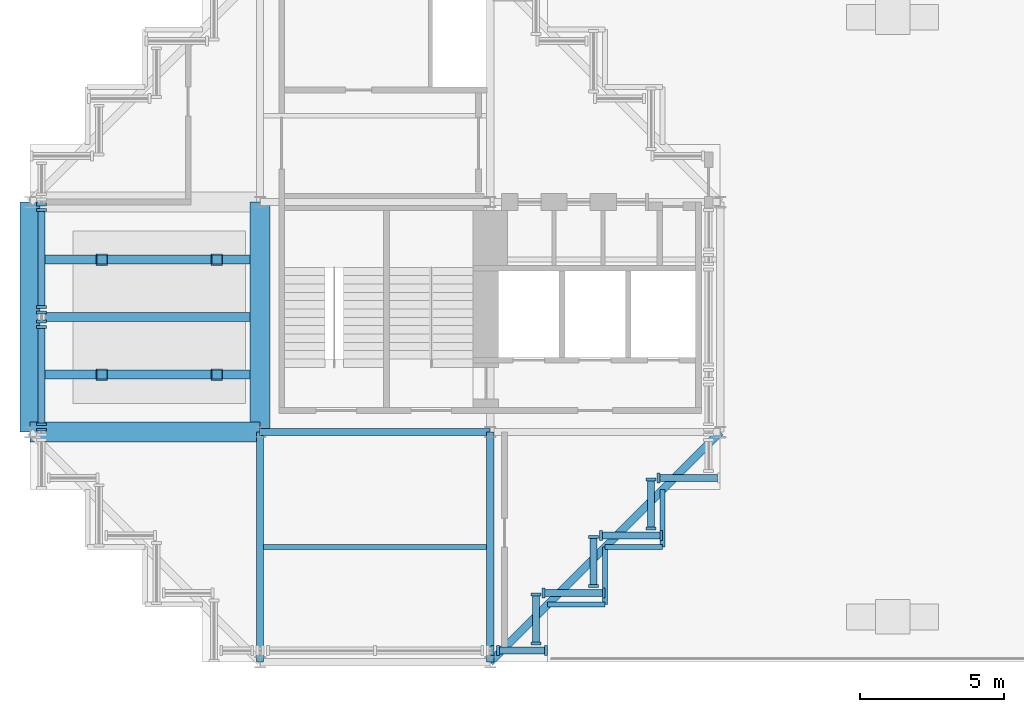
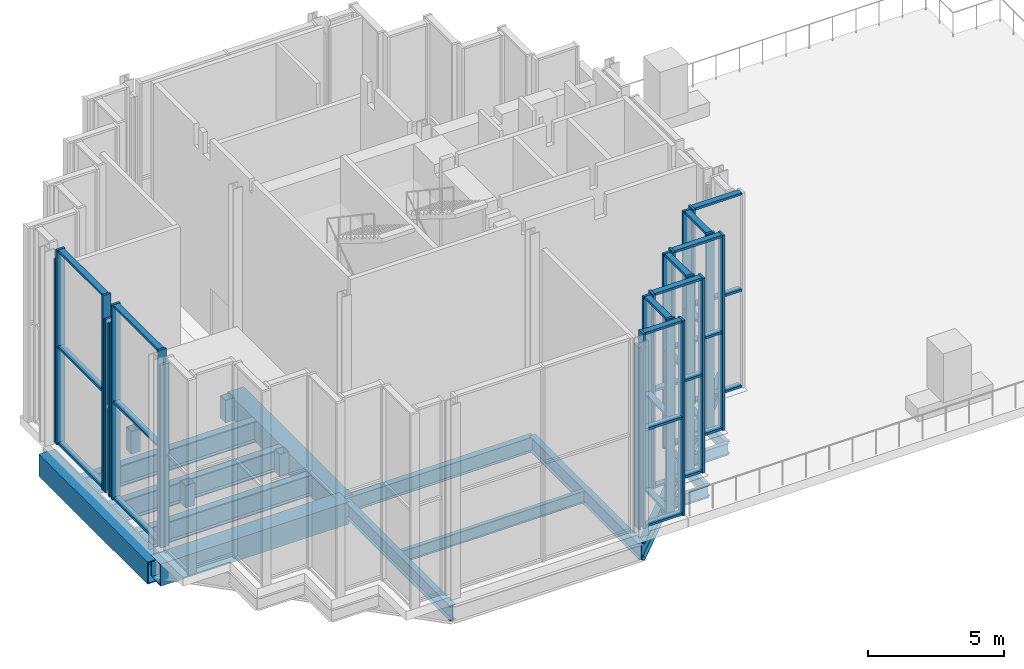
# One storey, part 2 of 15: 53 members, 15 beams, 13 elements without a shape of their own.
"""IFC4 building model written with IfcOpenShell, lengths in metres."""

from ifc_helpers import new_model, si_unit, direction, frame, origin, origin_2d, place, context, subcontext, project, spatial, rectangle, hollow_rectangle, i_section, extrude, material, material_profile, profile_set, type_object, element, aggregate, save


model = new_model("IFC4")

# Units and contexts
model_context = context("Model", 3, precision=1e-05, world=origin(), true_north=direction((0.0, 1.0)))
body_context = subcontext(model_context, "Body", "Model", "MODEL_VIEW")
ifc_project = project(units=[si_unit("LENGTHUNIT", "METRE"), si_unit("AREAUNIT", "SQUARE_METRE"), si_unit("VOLUMEUNIT", "CUBIC_METRE"), si_unit("PLANEANGLEUNIT", "RADIAN"), si_unit("MASSUNIT", "GRAM", prefix="KILO")], contexts=[model_context])

# Site, building, storey
site_placement = place(None, origin())
site = spatial("IfcSite", under=ifc_project, at=site_placement, CompositionType="ELEMENT")
building_placement = place(site_placement, origin())
building = spatial("IfcBuilding", under=site, at=building_placement, Name="Immortelle Media Tower", CompositionType="ELEMENT")
storey_placement = place(building_placement, frame((0.0, 0.0, 299.0)))
storey = spatial("IfcBuildingStorey", under=building, at=storey_placement, Name="L66", CompositionType="ELEMENT", Elevation=299.0)

# Beams
ifc_material_1 = material(Name="Steel ASTM A572 Gr 50", Category="steel")
ifc_material_profile_1 = material_profile(ifc_material_1, hollow_rectangle(XDim=0.699951171875, YDim=1.0, WallThickness=0.044921875, at=origin_2d()), Name="BOX 1000x700x45 box girder")
ifc_profile_set_1 = profile_set([ifc_material_profile_1], Name="Steel ASTM A572 Gr 50")
beam_type_1 = type_object("IfcBeamType", Name="BOX 1000x700x45 box girder", PredefinedType="BEAM", material=ifc_profile_set_1)
for number, where, z_axis, x_axis, name in (
    (1, (0.0, 8.0, -0.89990234375), (1.0, 0.0, 0.0), (0.0, 1.0, 0.0), "Girder B/1-2"),
    (2, (0.0, 8.0, -0.89990234375), (0.0, 1.0, 0.0), (-1.0, 0.0, 0.0), "Girder 1/B-C"),
    (3, (8.0, 8.0, -0.89990234375), (0.0, 1.0, 0.0), (-1.0, 0.0, 0.0), "Girder 2/B-C"),
):
    element("IfcBeam", number, at=place(storey_placement, frame(where, z_axis=z_axis, x_axis=x_axis)), inside=storey, type_object=beam_type_1, Name=name, PredefinedType="BEAM", context=body_context, shape_type="SweptSolid", body=[
        extrude(hollow_rectangle(XDim=0.699951171875, YDim=1.0, WallThickness=0.044921875, at=origin_2d()), origin(), (0.0, 0.0, 1.0), 8.0),
    ])

# Members
ifc_material_profile_2 = material_profile(ifc_material_1, hollow_rectangle(XDim=0.39990234375, YDim=0.39990234375, WallThickness=0.030029296875, at=origin_2d()), Name="BOX 400x400x30")
ifc_profile_set_2 = profile_set([ifc_material_profile_2], Name="Steel ASTM A572 Gr 50")
member_type_1 = type_object("IfcMemberType", Name="Damper bearing pedestal BOX 400x400x30", PredefinedType="POST", material=ifc_profile_set_2)
for number, where, z_axis, x_axis, name in (
    (4, (2.5, 10.0, 0.0), (0.0, 0.0, 1.0), (1.0, 0.0, 0.0), "Damper bearing pedestal 1"),
    (5, (6.5, 10.0, 0.0), (0.0, 0.0, 1.0), (1.0, 0.0, 0.0), "Damper bearing pedestal 2"),
    (6, (6.5, 14.0, 0.0), (0.0, 0.0, 1.0), (1.0, 0.0, 0.0), "Damper bearing pedestal 3"),
    (7, (2.5, 14.0, 0.0), (0.0, 0.0, 1.0), (1.0, 0.0, 0.0), "Damper bearing pedestal 4"),
):
    element("IfcMember", number, at=place(storey_placement, frame(where, z_axis=z_axis, x_axis=x_axis)), inside=storey, type_object=member_type_1, Name=name, PredefinedType="POST", context=body_context, shape_type="SweptSolid", body=[
        extrude(hollow_rectangle(XDim=0.39990234375, YDim=0.39990234375, WallThickness=0.030029296875, at=origin_2d()), origin(), (0.0, 0.0, 1.0), 1.0),
    ])

# Curtain wall, members
ifc_material_2 = material(Name="Aluminium curtain wall system", Category="aluminium")
curtain_wall_type = type_object("IfcCurtainWallType", Name="Damper hall glazing curtain wall", PredefinedType="NOTDEFINED", material=ifc_material_2)
curtain_wall_1_placement = place(storey_placement, origin())
curtain_wall_1 = element("IfcCurtainWall", 8, at=curtain_wall_1_placement, inside=storey, type_object=curtain_wall_type, Name="Damper hall glazing L66 E 1", PredefinedType="NOTDEFINED")
ifc_material_3 = material(Name="Aluminium 6063-T6", Category="aluminium")
ifc_material_profile_3 = material_profile(ifc_material_3, rectangle(XDim=0.35009765625, YDim=0.10009765625, at=origin_2d()), Name="AL 100x350")
ifc_profile_set_3 = profile_set([ifc_material_profile_3], Name="Aluminium 6063-T6")
member_type_2 = type_object("IfcMemberType", Name="Damper hall glazing mullion 100 x 350", PredefinedType="MULLION", material=ifc_profile_set_3)
member_1_placement = place(storey_placement, frame((17.60009765625, 0.64990234375, 0.0), z_axis=(0.0, 0.0, 1.0), x_axis=(-1.0, 0.0, 0.0)))
member_1 = element("IfcMember", 9, at=member_1_placement, type_object=member_type_2, Name="CW5 mullion 1", PredefinedType="MULLION", context=body_context, shape_type="SweptSolid", body=[
    extrude(rectangle(XDim=0.35009765625, YDim=0.10009765625, at=origin_2d()), origin(), (0.0, 0.0, 1.0), 8.74951171875),
])
member_2_placement = place(storey_placement, frame((17.60009765625, 2.35009765625, 0.0), z_axis=(0.0, 0.0, 1.0), x_axis=(-1.0, 0.0, 0.0)))
member_2 = element("IfcMember", 10, at=member_2_placement, type_object=member_type_2, Name="CW5 mullion 2", PredefinedType="MULLION", context=body_context, shape_type="SweptSolid", body=[
    extrude(rectangle(XDim=0.35009765625, YDim=0.10009765625, at=origin_2d()), origin(), (0.0, 0.0, 1.0), 8.74951171875),
])

curtain_wall_2_placement = place(storey_placement, origin())
curtain_wall_2 = element("IfcCurtainWall", 11, at=curtain_wall_2_placement, inside=storey, type_object=curtain_wall_type, Name="Damper hall glazing L66 S 2", PredefinedType="NOTDEFINED")
member_3_placement = place(storey_placement, frame((17.85009765625, 2.39990234375, 0.0), z_axis=(0.0, 0.0, 1.0), x_axis=(0.0, 1.0, 0.0)))
member_3 = element("IfcMember", 12, at=member_3_placement, type_object=member_type_2, Name="CW5 mullion 1", PredefinedType="MULLION", context=body_context, shape_type="SweptSolid", body=[
    extrude(rectangle(XDim=0.35009765625, YDim=0.10009765625, at=origin_2d()), origin(), (0.0, 0.0, 1.0), 8.74951171875),
])
member_4_placement = place(storey_placement, frame((19.949951171875, 2.39990234375, 0.0), z_axis=(0.0, 0.0, 1.0), x_axis=(0.0, 1.0, 0.0)))
member_4 = element("IfcMember", 13, at=member_4_placement, type_object=member_type_2, Name="CW5 mullion 2", PredefinedType="MULLION", context=body_context, shape_type="SweptSolid", body=[
    extrude(rectangle(XDim=0.35009765625, YDim=0.10009765625, at=origin_2d()), origin(), (0.0, 0.0, 1.0), 8.74951171875),
])

curtain_wall_3_placement = place(storey_placement, origin())
curtain_wall_3 = element("IfcCurtainWall", 14, at=curtain_wall_3_placement, inside=storey, type_object=curtain_wall_type, Name="Damper hall glazing L66 E 3", PredefinedType="NOTDEFINED")
member_5_placement = place(storey_placement, frame((19.60009765625, 2.64990234375, 0.0), z_axis=(0.0, 0.0, 1.0), x_axis=(-1.0, 0.0, 0.0)))
member_5 = element("IfcMember", 15, at=member_5_placement, type_object=member_type_2, Name="CW5 mullion 1", PredefinedType="MULLION", context=body_context, shape_type="SweptSolid", body=[
    extrude(rectangle(XDim=0.35009765625, YDim=0.10009765625, at=origin_2d()), origin(), (0.0, 0.0, 1.0), 8.74951171875),
])
member_6_placement = place(storey_placement, frame((19.60009765625, 4.35009765625, 0.0), z_axis=(0.0, 0.0, 1.0), x_axis=(-1.0, 0.0, 0.0)))
member_6 = element("IfcMember", 16, at=member_6_placement, type_object=member_type_2, Name="CW5 mullion 2", PredefinedType="MULLION", context=body_context, shape_type="SweptSolid", body=[
    extrude(rectangle(XDim=0.35009765625, YDim=0.10009765625, at=origin_2d()), origin(), (0.0, 0.0, 1.0), 8.74951171875),
])

curtain_wall_4_placement = place(storey_placement, origin())
curtain_wall_4 = element("IfcCurtainWall", 17, at=curtain_wall_4_placement, inside=storey, type_object=curtain_wall_type, Name="Damper hall glazing L66 S 4", PredefinedType="NOTDEFINED")
member_7_placement = place(storey_placement, frame((19.85009765625, 4.39990234375, 0.0), z_axis=(0.0, 0.0, 1.0), x_axis=(0.0, 1.0, 0.0)))
member_7 = element("IfcMember", 18, at=member_7_placement, type_object=member_type_2, Name="CW5 mullion 1", PredefinedType="MULLION", context=body_context, shape_type="SweptSolid", body=[
    extrude(rectangle(XDim=0.35009765625, YDim=0.10009765625, at=origin_2d()), origin(), (0.0, 0.0, 1.0), 8.74951171875),
])
member_8_placement = place(storey_placement, frame((21.949951171875, 4.39990234375, 0.0), z_axis=(0.0, 0.0, 1.0), x_axis=(0.0, 1.0, 0.0)))
member_8 = element("IfcMember", 19, at=member_8_placement, type_object=member_type_2, Name="CW5 mullion 2", PredefinedType="MULLION", context=body_context, shape_type="SweptSolid", body=[
    extrude(rectangle(XDim=0.35009765625, YDim=0.10009765625, at=origin_2d()), origin(), (0.0, 0.0, 1.0), 8.74951171875),
])

curtain_wall_5_placement = place(storey_placement, origin())
curtain_wall_5 = element("IfcCurtainWall", 20, at=curtain_wall_5_placement, inside=storey, type_object=curtain_wall_type, Name="Damper hall glazing L66 E 5", PredefinedType="NOTDEFINED")
member_9_placement = place(storey_placement, frame((21.60009765625, 4.64990234375, 0.0), z_axis=(0.0, 0.0, 1.0), x_axis=(-1.0, 0.0, 0.0)))
member_9 = element("IfcMember", 21, at=member_9_placement, type_object=member_type_2, Name="CW5 mullion 1", PredefinedType="MULLION", context=body_context, shape_type="SweptSolid", body=[
    extrude(rectangle(XDim=0.35009765625, YDim=0.10009765625, at=origin_2d()), origin(), (0.0, 0.0, 1.0), 8.74951171875),
])
member_10_placement = place(storey_placement, frame((21.60009765625, 6.35009765625, 0.0), z_axis=(0.0, 0.0, 1.0), x_axis=(-1.0, 0.0, 0.0)))
member_10 = element("IfcMember", 22, at=member_10_placement, type_object=member_type_2, Name="CW5 mullion 2", PredefinedType="MULLION", context=body_context, shape_type="SweptSolid", body=[
    extrude(rectangle(XDim=0.35009765625, YDim=0.10009765625, at=origin_2d()), origin(), (0.0, 0.0, 1.0), 8.74951171875),
])

# Curtain wall, member
curtain_wall_6_placement = place(storey_placement, origin())
curtain_wall_6 = element("IfcCurtainWall", 23, at=curtain_wall_6_placement, inside=storey, type_object=curtain_wall_type, Name="Damper hall glazing L66 S 6", PredefinedType="NOTDEFINED")
member_11_placement = place(storey_placement, frame((21.85009765625, 6.39990234375, 0.0), z_axis=(0.0, 0.0, 1.0), x_axis=(0.0, 1.0, 0.0)))
member_11 = element("IfcMember", 24, at=member_11_placement, type_object=member_type_2, Name="CW5 mullion 1", PredefinedType="MULLION", context=body_context, shape_type="SweptSolid", body=[
    extrude(rectangle(XDim=0.35009765625, YDim=0.10009765625, at=origin_2d()), origin(), (0.0, 0.0, 1.0), 8.74951171875),
])

curtain_wall_7_placement = place(storey_placement, origin())
curtain_wall_7 = element("IfcCurtainWall", 25, at=curtain_wall_7_placement, inside=storey, type_object=curtain_wall_type, Name="Damper hall glazing L66 W 21-2", PredefinedType="NOTDEFINED")
member_12_placement = place(storey_placement, frame((0.39990234375, 15.91650390625, 0.0), z_axis=(0.0, 0.0, 1.0), x_axis=(1.0, 0.0, 0.0)))
member_12 = element("IfcMember", 26, at=member_12_placement, type_object=member_type_2, Name="CW5 mullion 2", PredefinedType="MULLION", context=body_context, shape_type="SweptSolid", body=[
    extrude(rectangle(XDim=0.35009765625, YDim=0.10009765625, at=origin_2d()), origin(), (0.0, 0.0, 1.0), 8.21337890625),
])
aggregate(curtain_wall_7, [member_12])

# Curtain wall, members
curtain_wall_8_placement = place(storey_placement, origin())
curtain_wall_8 = element("IfcCurtainWall", 27, at=curtain_wall_8_placement, inside=storey, type_object=curtain_wall_type, Name="Damper hall glazing L66 W 21-3", PredefinedType="NOTDEFINED")
member_13_placement = place(storey_placement, frame((0.39990234375, 15.7265625, 0.0), z_axis=(0.0, 0.0, 1.0), x_axis=(1.0, 0.0, 0.0)))
member_13 = element("IfcMember", 28, at=member_13_placement, type_object=member_type_2, Name="CW5 mullion 1", PredefinedType="MULLION", context=body_context, shape_type="SweptSolid", body=[
    extrude(rectangle(XDim=0.35009765625, YDim=0.10009765625, at=origin_2d()), origin(), (0.0, 0.0, 1.0), 8.74951171875),
])
member_14_placement = place(storey_placement, frame((0.39990234375, 12.344970703125, 0.0), z_axis=(0.0, 0.0, 1.0), x_axis=(1.0, 0.0, 0.0)))
member_14 = element("IfcMember", 29, at=member_14_placement, type_object=member_type_2, Name="CW5 mullion 2", PredefinedType="MULLION", context=body_context, shape_type="SweptSolid", body=[
    extrude(rectangle(XDim=0.35009765625, YDim=0.10009765625, at=origin_2d()), origin(), (0.0, 0.0, 1.0), 8.74951171875),
])

curtain_wall_9_placement = place(storey_placement, origin())
curtain_wall_9 = element("IfcCurtainWall", 30, at=curtain_wall_9_placement, inside=storey, type_object=curtain_wall_type, Name="Damper hall glazing L66 W 21-4", PredefinedType="NOTDEFINED")
member_15_placement = place(storey_placement, frame((0.39990234375, 12.155029296875, 0.0), z_axis=(0.0, 0.0, 1.0), x_axis=(1.0, 0.0, 0.0)))
member_15 = element("IfcMember", 31, at=member_15_placement, type_object=member_type_2, Name="CW5 mullion 1", PredefinedType="MULLION", context=body_context, shape_type="SweptSolid", body=[
    extrude(rectangle(XDim=0.35009765625, YDim=0.10009765625, at=origin_2d()), origin(), (0.0, 0.0, 1.0), 7.799560546875),
])
member_16_placement = place(storey_placement, frame((0.39990234375, 11.844970703125, 0.0), z_axis=(0.0, 0.0, 1.0), x_axis=(1.0, 0.0, 0.0)))
member_16 = element("IfcMember", 32, at=member_16_placement, type_object=member_type_2, Name="CW5 mullion 2", PredefinedType="MULLION", context=body_context, shape_type="SweptSolid", body=[
    extrude(rectangle(XDim=0.35009765625, YDim=0.10009765625, at=origin_2d()), origin(), (0.0, 0.0, 1.0), 7.799560546875),
])
aggregate(curtain_wall_9, [member_15, member_16])

curtain_wall_10_placement = place(storey_placement, origin())
curtain_wall_10 = element("IfcCurtainWall", 33, at=curtain_wall_10_placement, inside=storey, type_object=curtain_wall_type, Name="Damper hall glazing L66 W 21-5", PredefinedType="NOTDEFINED")
member_17_placement = place(storey_placement, frame((0.39990234375, 11.655029296875, 0.0), z_axis=(0.0, 0.0, 1.0), x_axis=(1.0, 0.0, 0.0)))
member_17 = element("IfcMember", 34, at=member_17_placement, type_object=member_type_2, Name="CW5 mullion 1", PredefinedType="MULLION", context=body_context, shape_type="SweptSolid", body=[
    extrude(rectangle(XDim=0.35009765625, YDim=0.10009765625, at=origin_2d()), origin(), (0.0, 0.0, 1.0), 8.74951171875),
])
member_18_placement = place(storey_placement, frame((0.39990234375, 8.2734375, 0.0), z_axis=(0.0, 0.0, 1.0), x_axis=(1.0, 0.0, 0.0)))
member_18 = element("IfcMember", 35, at=member_18_placement, type_object=member_type_2, Name="CW5 mullion 2", PredefinedType="MULLION", context=body_context, shape_type="SweptSolid", body=[
    extrude(rectangle(XDim=0.35009765625, YDim=0.10009765625, at=origin_2d()), origin(), (0.0, 0.0, 1.0), 8.74951171875),
])

# Curtain wall, member
curtain_wall_11_placement = place(storey_placement, origin())
curtain_wall_11 = element("IfcCurtainWall", 36, at=curtain_wall_11_placement, inside=storey, type_object=curtain_wall_type, Name="Damper hall glazing L66 W 21-6", PredefinedType="NOTDEFINED")
member_19_placement = place(storey_placement, frame((0.39990234375, 8.08349609375, 0.0), z_axis=(0.0, 0.0, 1.0), x_axis=(1.0, 0.0, 0.0)))
member_19 = element("IfcMember", 37, at=member_19_placement, type_object=member_type_2, Name="CW5 mullion 1", PredefinedType="MULLION", context=body_context, shape_type="SweptSolid", body=[
    extrude(rectangle(XDim=0.35009765625, YDim=0.10009765625, at=origin_2d()), origin(), (0.0, 0.0, 1.0), 8.21337890625),
])
aggregate(curtain_wall_11, [member_19])

curtain_wall_12_placement = place(storey_placement, origin())
curtain_wall_12 = element("IfcCurtainWall", 38, at=curtain_wall_12_placement, inside=storey, type_object=curtain_wall_type, Name="Damper hall glazing L66 S 28-4", PredefinedType="NOTDEFINED")
member_20_placement = place(storey_placement, frame((16.08349609375, 0.39990234375, 0.0), z_axis=(0.0, 0.0, 1.0), x_axis=(0.0, 1.0, 0.0)))
member_20 = element("IfcMember", 39, at=member_20_placement, type_object=member_type_2, Name="CW5 mullion 2", PredefinedType="MULLION", context=body_context, shape_type="SweptSolid", body=[
    extrude(rectangle(XDim=0.35009765625, YDim=0.10009765625, at=origin_2d()), origin(), (0.0, 0.0, 1.0), 8.21337890625),
])
aggregate(curtain_wall_12, [member_20])

# Curtain wall, members
curtain_wall_13_placement = place(storey_placement, origin())
curtain_wall_13 = element("IfcCurtainWall", 40, at=curtain_wall_13_placement, inside=storey, type_object=curtain_wall_type, Name="Damper hall glazing L66 S 28-5", PredefinedType="NOTDEFINED")
member_21_placement = place(storey_placement, frame((16.2734375, 0.39990234375, 0.0), z_axis=(0.0, 0.0, 1.0), x_axis=(0.0, 1.0, 0.0)))
member_21 = element("IfcMember", 41, at=member_21_placement, type_object=member_type_2, Name="CW5 mullion 1", PredefinedType="MULLION", context=body_context, shape_type="SweptSolid", body=[
    extrude(rectangle(XDim=0.35009765625, YDim=0.10009765625, at=origin_2d()), origin(), (0.0, 0.0, 1.0), 8.74951171875),
])
member_22_placement = place(storey_placement, frame((17.949951171875, 0.39990234375, 0.0), z_axis=(0.0, 0.0, 1.0), x_axis=(0.0, 1.0, 0.0)))
member_22 = element("IfcMember", 42, at=member_22_placement, type_object=member_type_2, Name="CW5 mullion 2", PredefinedType="MULLION", context=body_context, shape_type="SweptSolid", body=[
    extrude(rectangle(XDim=0.35009765625, YDim=0.10009765625, at=origin_2d()), origin(), (0.0, 0.0, 1.0), 8.74951171875),
])

# Member
ifc_material_profile_4 = material_profile(ifc_material_3, rectangle(XDim=0.25, YDim=0.10009765625, at=origin_2d()), Name="AL 100x250")
ifc_profile_set_4 = profile_set([ifc_material_profile_4], Name="Aluminium 6063-T6")
member_type_3 = type_object("IfcMemberType", Name="Damper hall glazing transom 100 x 250", PredefinedType="USERDEFINED", material=ifc_profile_set_4)
member_23_placement = place(storey_placement, frame((17.60009765625, 0.699951171875, 0.050048828125), z_axis=(0.0, 1.0, 0.0), x_axis=(-1.0, 0.0, 0.0)))
member_23 = element("IfcMember", 43, at=member_23_placement, type_object=member_type_3, Name="CW5 transom 1.1", ObjectType="TRANSOM", PredefinedType="USERDEFINED", context=body_context, shape_type="SweptSolid", body=[
    extrude(rectangle(XDim=0.25, YDim=0.10009765625, at=origin_2d()), origin(), (0.0, 0.0, 1.0), 1.60009765625),
])

member_24_placement = place(storey_placement, frame((17.60009765625, 0.699951171875, 4.374755859375), z_axis=(0.0, 1.0, 0.0), x_axis=(-1.0, 0.0, 0.0)))
member_24 = element("IfcMember", 44, at=member_24_placement, type_object=member_type_3, Name="CW5 transom 1.2", ObjectType="TRANSOM", PredefinedType="USERDEFINED", context=body_context, shape_type="SweptSolid", body=[
    extrude(rectangle(XDim=0.25, YDim=0.10009765625, at=origin_2d()), origin(), (0.0, 0.0, 1.0), 1.60009765625),
])

member_25_placement = place(storey_placement, frame((17.60009765625, 0.699951171875, 8.699462890625), z_axis=(0.0, 1.0, 0.0), x_axis=(-1.0, 0.0, 0.0)))
member_25 = element("IfcMember", 45, at=member_25_placement, type_object=member_type_3, Name="CW5 transom 1.3", ObjectType="TRANSOM", PredefinedType="USERDEFINED", context=body_context, shape_type="SweptSolid", body=[
    extrude(rectangle(XDim=0.25, YDim=0.10009765625, at=origin_2d()), origin(), (0.0, 0.0, 1.0), 1.60009765625),
])

aggregate(curtain_wall_1, [member_1, member_2, member_23, member_24, member_25])

member_26_placement = place(storey_placement, frame((17.89990234375, 2.39990234375, 0.050048828125), z_axis=(1.0, 0.0, 0.0), x_axis=(0.0, 1.0, 0.0)))
member_26 = element("IfcMember", 46, at=member_26_placement, type_object=member_type_3, Name="CW5 transom 1.1", ObjectType="TRANSOM", PredefinedType="USERDEFINED", context=body_context, shape_type="SweptSolid", body=[
    extrude(rectangle(XDim=0.25, YDim=0.10009765625, at=origin_2d()), origin(), (0.0, 0.0, 1.0), 2.0),
])

member_27_placement = place(storey_placement, frame((17.89990234375, 2.39990234375, 4.374755859375), z_axis=(1.0, 0.0, 0.0), x_axis=(0.0, 1.0, 0.0)))
member_27 = element("IfcMember", 47, at=member_27_placement, type_object=member_type_3, Name="CW5 transom 1.2", ObjectType="TRANSOM", PredefinedType="USERDEFINED", context=body_context, shape_type="SweptSolid", body=[
    extrude(rectangle(XDim=0.25, YDim=0.10009765625, at=origin_2d()), origin(), (0.0, 0.0, 1.0), 2.0),
])

member_28_placement = place(storey_placement, frame((17.89990234375, 2.39990234375, 8.699462890625), z_axis=(1.0, 0.0, 0.0), x_axis=(0.0, 1.0, 0.0)))
member_28 = element("IfcMember", 48, at=member_28_placement, type_object=member_type_3, Name="CW5 transom 1.3", ObjectType="TRANSOM", PredefinedType="USERDEFINED", context=body_context, shape_type="SweptSolid", body=[
    extrude(rectangle(XDim=0.25, YDim=0.10009765625, at=origin_2d()), origin(), (0.0, 0.0, 1.0), 2.0),
])

aggregate(curtain_wall_2, [member_3, member_4, member_26, member_27, member_28])

member_29_placement = place(storey_placement, frame((19.60009765625, 2.699951171875, 0.050048828125), z_axis=(0.0, 1.0, 0.0), x_axis=(-1.0, 0.0, 0.0)))
member_29 = element("IfcMember", 49, at=member_29_placement, type_object=member_type_3, Name="CW5 transom 1.1", ObjectType="TRANSOM", PredefinedType="USERDEFINED", context=body_context, shape_type="SweptSolid", body=[
    extrude(rectangle(XDim=0.25, YDim=0.10009765625, at=origin_2d()), origin(), (0.0, 0.0, 1.0), 1.60009765625),
])

member_30_placement = place(storey_placement, frame((19.60009765625, 2.699951171875, 4.374755859375), z_axis=(0.0, 1.0, 0.0), x_axis=(-1.0, 0.0, 0.0)))
member_30 = element("IfcMember", 50, at=member_30_placement, type_object=member_type_3, Name="CW5 transom 1.2", ObjectType="TRANSOM", PredefinedType="USERDEFINED", context=body_context, shape_type="SweptSolid", body=[
    extrude(rectangle(XDim=0.25, YDim=0.10009765625, at=origin_2d()), origin(), (0.0, 0.0, 1.0), 1.60009765625),
])

member_31_placement = place(storey_placement, frame((19.60009765625, 2.699951171875, 8.699462890625), z_axis=(0.0, 1.0, 0.0), x_axis=(-1.0, 0.0, 0.0)))
member_31 = element("IfcMember", 51, at=member_31_placement, type_object=member_type_3, Name="CW5 transom 1.3", ObjectType="TRANSOM", PredefinedType="USERDEFINED", context=body_context, shape_type="SweptSolid", body=[
    extrude(rectangle(XDim=0.25, YDim=0.10009765625, at=origin_2d()), origin(), (0.0, 0.0, 1.0), 1.60009765625),
])

aggregate(curtain_wall_3, [member_5, member_6, member_29, member_30, member_31])

member_32_placement = place(storey_placement, frame((19.89990234375, 4.39990234375, 0.050048828125), z_axis=(1.0, 0.0, 0.0), x_axis=(0.0, 1.0, 0.0)))
member_32 = element("IfcMember", 52, at=member_32_placement, type_object=member_type_3, Name="CW5 transom 1.1", ObjectType="TRANSOM", PredefinedType="USERDEFINED", context=body_context, shape_type="SweptSolid", body=[
    extrude(rectangle(XDim=0.25, YDim=0.10009765625, at=origin_2d()), origin(), (0.0, 0.0, 1.0), 2.0),
])

member_33_placement = place(storey_placement, frame((19.89990234375, 4.39990234375, 4.374755859375), z_axis=(1.0, 0.0, 0.0), x_axis=(0.0, 1.0, 0.0)))
member_33 = element("IfcMember", 53, at=member_33_placement, type_object=member_type_3, Name="CW5 transom 1.2", ObjectType="TRANSOM", PredefinedType="USERDEFINED", context=body_context, shape_type="SweptSolid", body=[
    extrude(rectangle(XDim=0.25, YDim=0.10009765625, at=origin_2d()), origin(), (0.0, 0.0, 1.0), 2.0),
])

member_34_placement = place(storey_placement, frame((19.89990234375, 4.39990234375, 8.699462890625), z_axis=(1.0, 0.0, 0.0), x_axis=(0.0, 1.0, 0.0)))
member_34 = element("IfcMember", 54, at=member_34_placement, type_object=member_type_3, Name="CW5 transom 1.3", ObjectType="TRANSOM", PredefinedType="USERDEFINED", context=body_context, shape_type="SweptSolid", body=[
    extrude(rectangle(XDim=0.25, YDim=0.10009765625, at=origin_2d()), origin(), (0.0, 0.0, 1.0), 2.0),
])

aggregate(curtain_wall_4, [member_7, member_8, member_32, member_33, member_34])

member_35_placement = place(storey_placement, frame((21.60009765625, 4.699951171875, 0.050048828125), z_axis=(0.0, 1.0, 0.0), x_axis=(-1.0, 0.0, 0.0)))
member_35 = element("IfcMember", 55, at=member_35_placement, type_object=member_type_3, Name="CW5 transom 1.1", ObjectType="TRANSOM", PredefinedType="USERDEFINED", context=body_context, shape_type="SweptSolid", body=[
    extrude(rectangle(XDim=0.25, YDim=0.10009765625, at=origin_2d()), origin(), (0.0, 0.0, 1.0), 1.60009765625),
])

member_36_placement = place(storey_placement, frame((21.60009765625, 4.699951171875, 4.374755859375), z_axis=(0.0, 1.0, 0.0), x_axis=(-1.0, 0.0, 0.0)))
member_36 = element("IfcMember", 56, at=member_36_placement, type_object=member_type_3, Name="CW5 transom 1.2", ObjectType="TRANSOM", PredefinedType="USERDEFINED", context=body_context, shape_type="SweptSolid", body=[
    extrude(rectangle(XDim=0.25, YDim=0.10009765625, at=origin_2d()), origin(), (0.0, 0.0, 1.0), 1.60009765625),
])

member_37_placement = place(storey_placement, frame((21.60009765625, 4.699951171875, 8.699462890625), z_axis=(0.0, 1.0, 0.0), x_axis=(-1.0, 0.0, 0.0)))
member_37 = element("IfcMember", 57, at=member_37_placement, type_object=member_type_3, Name="CW5 transom 1.3", ObjectType="TRANSOM", PredefinedType="USERDEFINED", context=body_context, shape_type="SweptSolid", body=[
    extrude(rectangle(XDim=0.25, YDim=0.10009765625, at=origin_2d()), origin(), (0.0, 0.0, 1.0), 1.60009765625),
])

aggregate(curtain_wall_5, [member_9, member_10, member_35, member_36, member_37])

member_38_placement = place(storey_placement, frame((21.89990234375, 6.39990234375, 0.050048828125), z_axis=(1.0, 0.0, 0.0), x_axis=(0.0, 1.0, 0.0)))
member_38 = element("IfcMember", 58, at=member_38_placement, type_object=member_type_3, Name="CW5 transom 1.1", ObjectType="TRANSOM", PredefinedType="USERDEFINED", context=body_context, shape_type="SweptSolid", body=[
    extrude(rectangle(XDim=0.25, YDim=0.10009765625, at=origin_2d()), origin(), (0.0, 0.0, 1.0), 2.0),
])

member_39_placement = place(storey_placement, frame((21.89990234375, 6.39990234375, 4.374755859375), z_axis=(1.0, 0.0, 0.0), x_axis=(0.0, 1.0, 0.0)))
member_39 = element("IfcMember", 59, at=member_39_placement, type_object=member_type_3, Name="CW5 transom 1.2", ObjectType="TRANSOM", PredefinedType="USERDEFINED", context=body_context, shape_type="SweptSolid", body=[
    extrude(rectangle(XDim=0.25, YDim=0.10009765625, at=origin_2d()), origin(), (0.0, 0.0, 1.0), 2.0),
])

member_40_placement = place(storey_placement, frame((21.89990234375, 6.39990234375, 8.699462890625), z_axis=(1.0, 0.0, 0.0), x_axis=(0.0, 1.0, 0.0)))
member_40 = element("IfcMember", 60, at=member_40_placement, type_object=member_type_3, Name="CW5 transom 1.3", ObjectType="TRANSOM", PredefinedType="USERDEFINED", context=body_context, shape_type="SweptSolid", body=[
    extrude(rectangle(XDim=0.25, YDim=0.10009765625, at=origin_2d()), origin(), (0.0, 0.0, 1.0), 2.0),
])

aggregate(curtain_wall_6, [member_11, member_38, member_39, member_40])

member_41_placement = place(storey_placement, frame((0.39990234375, 15.676513671875, 0.050048828125), z_axis=(0.0, -1.0, 0.0), x_axis=(1.0, 0.0, 0.0)))
member_41 = element("IfcMember", 61, at=member_41_placement, type_object=member_type_3, Name="CW5 transom 1.1", ObjectType="TRANSOM", PredefinedType="USERDEFINED", context=body_context, shape_type="SweptSolid", body=[
    extrude(rectangle(XDim=0.25, YDim=0.10009765625, at=origin_2d()), origin(), (0.0, 0.0, 1.0), 3.281494140625),
])

member_42_placement = place(storey_placement, frame((0.39990234375, 15.676513671875, 4.374755859375), z_axis=(0.0, -1.0, 0.0), x_axis=(1.0, 0.0, 0.0)))
member_42 = element("IfcMember", 62, at=member_42_placement, type_object=member_type_3, Name="CW5 transom 1.2", ObjectType="TRANSOM", PredefinedType="USERDEFINED", context=body_context, shape_type="SweptSolid", body=[
    extrude(rectangle(XDim=0.25, YDim=0.10009765625, at=origin_2d()), origin(), (0.0, 0.0, 1.0), 3.281494140625),
])

member_43_placement = place(storey_placement, frame((0.39990234375, 15.676513671875, 8.699462890625), z_axis=(0.0, -1.0, 0.0), x_axis=(1.0, 0.0, 0.0)))
member_43 = element("IfcMember", 63, at=member_43_placement, type_object=member_type_3, Name="CW5 transom 1.3", ObjectType="TRANSOM", PredefinedType="USERDEFINED", context=body_context, shape_type="SweptSolid", body=[
    extrude(rectangle(XDim=0.25, YDim=0.10009765625, at=origin_2d()), origin(), (0.0, 0.0, 1.0), 3.281494140625),
])

aggregate(curtain_wall_8, [member_13, member_14, member_41, member_42, member_43])

member_44_placement = place(storey_placement, frame((0.39990234375, 11.60498046875, 0.050048828125), z_axis=(0.0, -1.0, 0.0), x_axis=(1.0, 0.0, 0.0)))
member_44 = element("IfcMember", 64, at=member_44_placement, type_object=member_type_3, Name="CW5 transom 1.1", ObjectType="TRANSOM", PredefinedType="USERDEFINED", context=body_context, shape_type="SweptSolid", body=[
    extrude(rectangle(XDim=0.25, YDim=0.10009765625, at=origin_2d()), origin(), (0.0, 0.0, 1.0), 3.281494140625),
])

member_45_placement = place(storey_placement, frame((0.39990234375, 11.60498046875, 4.374755859375), z_axis=(0.0, -1.0, 0.0), x_axis=(1.0, 0.0, 0.0)))
member_45 = element("IfcMember", 65, at=member_45_placement, type_object=member_type_3, Name="CW5 transom 1.2", ObjectType="TRANSOM", PredefinedType="USERDEFINED", context=body_context, shape_type="SweptSolid", body=[
    extrude(rectangle(XDim=0.25, YDim=0.10009765625, at=origin_2d()), origin(), (0.0, 0.0, 1.0), 3.281494140625),
])

member_46_placement = place(storey_placement, frame((0.39990234375, 11.60498046875, 8.699462890625), z_axis=(0.0, -1.0, 0.0), x_axis=(1.0, 0.0, 0.0)))
member_46 = element("IfcMember", 66, at=member_46_placement, type_object=member_type_3, Name="CW5 transom 1.3", ObjectType="TRANSOM", PredefinedType="USERDEFINED", context=body_context, shape_type="SweptSolid", body=[
    extrude(rectangle(XDim=0.25, YDim=0.10009765625, at=origin_2d()), origin(), (0.0, 0.0, 1.0), 3.281494140625),
])

aggregate(curtain_wall_10, [member_17, member_18, member_44, member_45, member_46])

member_47_placement = place(storey_placement, frame((16.323486328125, 0.39990234375, 0.050048828125), z_axis=(1.0, 0.0, 0.0), x_axis=(0.0, 1.0, 0.0)))
member_47 = element("IfcMember", 67, at=member_47_placement, type_object=member_type_3, Name="CW5 transom 1.1", ObjectType="TRANSOM", PredefinedType="USERDEFINED", context=body_context, shape_type="SweptSolid", body=[
    extrude(rectangle(XDim=0.25, YDim=0.10009765625, at=origin_2d()), origin(), (0.0, 0.0, 1.0), 1.576416015625),
])

member_48_placement = place(storey_placement, frame((16.323486328125, 0.39990234375, 4.374755859375), z_axis=(1.0, 0.0, 0.0), x_axis=(0.0, 1.0, 0.0)))
member_48 = element("IfcMember", 68, at=member_48_placement, type_object=member_type_3, Name="CW5 transom 1.2", ObjectType="TRANSOM", PredefinedType="USERDEFINED", context=body_context, shape_type="SweptSolid", body=[
    extrude(rectangle(XDim=0.25, YDim=0.10009765625, at=origin_2d()), origin(), (0.0, 0.0, 1.0), 1.576416015625),
])

member_49_placement = place(storey_placement, frame((16.323486328125, 0.39990234375, 8.699462890625), z_axis=(1.0, 0.0, 0.0), x_axis=(0.0, 1.0, 0.0)))
member_49 = element("IfcMember", 69, at=member_49_placement, type_object=member_type_3, Name="CW5 transom 1.3", ObjectType="TRANSOM", PredefinedType="USERDEFINED", context=body_context, shape_type="SweptSolid", body=[
    extrude(rectangle(XDim=0.25, YDim=0.10009765625, at=origin_2d()), origin(), (0.0, 0.0, 1.0), 1.576416015625),
])

aggregate(curtain_wall_13, [member_21, member_22, member_47, member_48, member_49])

# Beams
ifc_material_4 = material(Name="Steel ASTM A992 Gr 50", Category="steel")
ifc_material_profile_5 = material_profile(ifc_material_4, i_section(OverallWidth=0.1669921875, OverallDepth=0.535888671875, WebThickness=0.010009765625, FlangeThickness=0.01708984375, at=origin_2d()), Name="W21x57")
ifc_profile_set_5 = profile_set([ifc_material_profile_5], Name="Steel ASTM A992 Gr 50")
beam_type_2 = type_object("IfcBeamType", Name="W21x57 secondary beam", PredefinedType="JOIST", material=ifc_profile_set_5)
beam_1_placement = place(storey_placement, frame((8.12646484375, 4.0, -0.66796875), z_axis=(1.0, 0.0, 0.0), x_axis=(0.0, 1.0, 0.0)))
element("IfcBeam", 70, at=beam_1_placement, inside=storey, type_object=beam_type_2, Name="Beam A-B/2-3", PredefinedType="JOIST", context=body_context, shape_type="SweptSolid", body=[
    extrude(i_section(OverallWidth=0.1669921875, OverallDepth=0.535888671875, WebThickness=0.010009765625, FlangeThickness=0.01708984375, at=origin_2d()), origin(), (0.0, 0.0, 1.0), 7.7470703125),
])
ifc_material_profile_6 = material_profile(ifc_material_4, i_section(OverallWidth=0.1669921875, OverallDepth=0.535888671875, WebThickness=0.010009765625, FlangeThickness=0.01708984375, at=origin_2d()), Name="W21x57")
ifc_profile_set_6 = profile_set([ifc_material_profile_6], Name="Steel ASTM A992 Gr 50")
beam_type_3 = type_object("IfcBeamType", Name="W21x57 serration edge beam", PredefinedType="SPANDREL", material=ifc_profile_set_6)
for number, where, z_axis, x_axis, name in (
    (71, (18.0, 2.0, -0.66796875), (1.0, 0.0, 0.0), (0.0, 1.0, 0.0), "Corner edge beam 1 at 4/A"),
    (72, (20.0, 2.0, -0.66796875), (0.0, 1.0, 0.0), (-1.0, 0.0, 0.0), "Corner edge beam 2 at 4/A"),
    (73, (20.0, 4.0, -0.66796875), (1.0, 0.0, 0.0), (0.0, 1.0, 0.0), "Corner edge beam 3 at 4/A"),
    (74, (22.0, 4.0, -0.66796875), (0.0, 1.0, 0.0), (-1.0, 0.0, 0.0), "Corner edge beam 4 at 4/A"),
):
    element("IfcBeam", number, at=place(storey_placement, frame(where, z_axis=z_axis, x_axis=x_axis)), inside=storey, type_object=beam_type_3, Name=name, PredefinedType="SPANDREL", context=body_context, shape_type="SweptSolid", body=[
        extrude(i_section(OverallWidth=0.1669921875, OverallDepth=0.535888671875, WebThickness=0.010009765625, FlangeThickness=0.01708984375, at=origin_2d()), origin(), (0.0, 0.0, 1.0), 2.0),
    ])
ifc_material_profile_7 = material_profile(ifc_material_4, i_section(OverallWidth=0.2529296875, OverallDepth=0.677978515625, WebThickness=0.011962890625, FlangeThickness=0.01611328125, at=origin_2d()), Name="W27x84")
ifc_profile_set_7 = profile_set([ifc_material_profile_7], Name="Steel ASTM A992 Gr 50")
beam_type_4 = type_object("IfcBeamType", Name="W27x84 girder", PredefinedType="BEAM", material=ifc_profile_set_7)
for number, where, z_axis, x_axis, name in (
    (75, (8.0, 0.0, -0.739013671875), (0.0, 1.0, 0.0), (-1.0, 0.0, 0.0), "Girder 2/A-B"),
    (76, (8.0, 8.0, -0.739013671875), (1.0, 0.0, 0.0), (0.0, 1.0, 0.0), "Girder B/2-3"),
    (77, (16.0, 0.0, -0.739013671875), (0.0, 1.0, 0.0), (-1.0, 0.0, 0.0), "Girder 3/A-B"),
):
    element("IfcBeam", number, at=place(storey_placement, frame(where, z_axis=z_axis, x_axis=x_axis)), inside=storey, type_object=beam_type_4, Name=name, PredefinedType="BEAM", context=body_context, shape_type="SweptSolid", body=[
        extrude(i_section(OverallWidth=0.2529296875, OverallDepth=0.677978515625, WebThickness=0.011962890625, FlangeThickness=0.01611328125, at=origin_2d()), origin(), (0.0, 0.0, 1.0), 8.0),
    ])
ifc_material_profile_8 = material_profile(ifc_material_4, i_section(OverallWidth=0.26708984375, OverallDepth=0.780029296875, WebThickness=0.01708984375, FlangeThickness=0.030029296875, at=origin_2d()), Name="W30x148")
ifc_profile_set_8 = profile_set([ifc_material_profile_8], Name="Steel ASTM A992 Gr 50")
beam_type_5 = type_object("IfcBeamType", Name="W30x148 corner girder", PredefinedType="SPANDREL", material=ifc_profile_set_8)
beam_2_placement = place(storey_placement, frame((16.0, 0.0, -0.7900390625), z_axis=(0.707106781187, 0.707106781187, 0.0), x_axis=(-0.707106781187, 0.707106781187, 0.0)))
element("IfcBeam", 78, at=beam_2_placement, inside=storey, type_object=beam_type_5, Name="Corner girder at 4/A", PredefinedType="SPANDREL", context=body_context, shape_type="SweptSolid", body=[
    extrude(i_section(OverallWidth=0.26708984375, OverallDepth=0.780029296875, WebThickness=0.01708984375, FlangeThickness=0.030029296875, at=origin_2d()), origin(), (0.0, 0.0, 1.0), 11.313720703125),
])
ifc_material_profile_9 = material_profile(ifc_material_4, i_section(OverallWidth=0.31005859375, OverallDepth=0.949951171875, WebThickness=0.02392578125, FlangeThickness=0.0439453125, at=origin_2d()), Name="W36x256")
ifc_profile_set_9 = profile_set([ifc_material_profile_9], Name="Steel ASTM A992 Gr 50")
beam_type_6 = type_object("IfcBeamType", Name="W36x256 secondary beam", PredefinedType="JOIST", material=ifc_profile_set_9)
for number, where, z_axis, x_axis, name in (
    (79, (0.35009765625, 10.0, -0.875), (1.0, 0.0, 0.0), (0.0, 1.0, 0.0), "Damper support beam B-C/1-2 at 10"),
    (80, (0.35009765625, 12.0, -0.875), (1.0, 0.0, 0.0), (0.0, 1.0, 0.0), "Damper support beam B-C/1-2 at 12"),
    (81, (0.35009765625, 14.0, -0.875), (1.0, 0.0, 0.0), (0.0, 1.0, 0.0), "Damper support beam B-C/1-2 at 14"),
):
    element("IfcBeam", number, at=place(storey_placement, frame(where, z_axis=z_axis, x_axis=x_axis)), inside=storey, type_object=beam_type_6, Name=name, PredefinedType="JOIST", context=body_context, shape_type="SweptSolid", body=[
        extrude(i_section(OverallWidth=0.31005859375, OverallDepth=0.949951171875, WebThickness=0.02392578125, FlangeThickness=0.0439453125, at=origin_2d()), origin(), (0.0, 0.0, 1.0), 7.2998046875),
    ])

save(model, "model.ifc")
